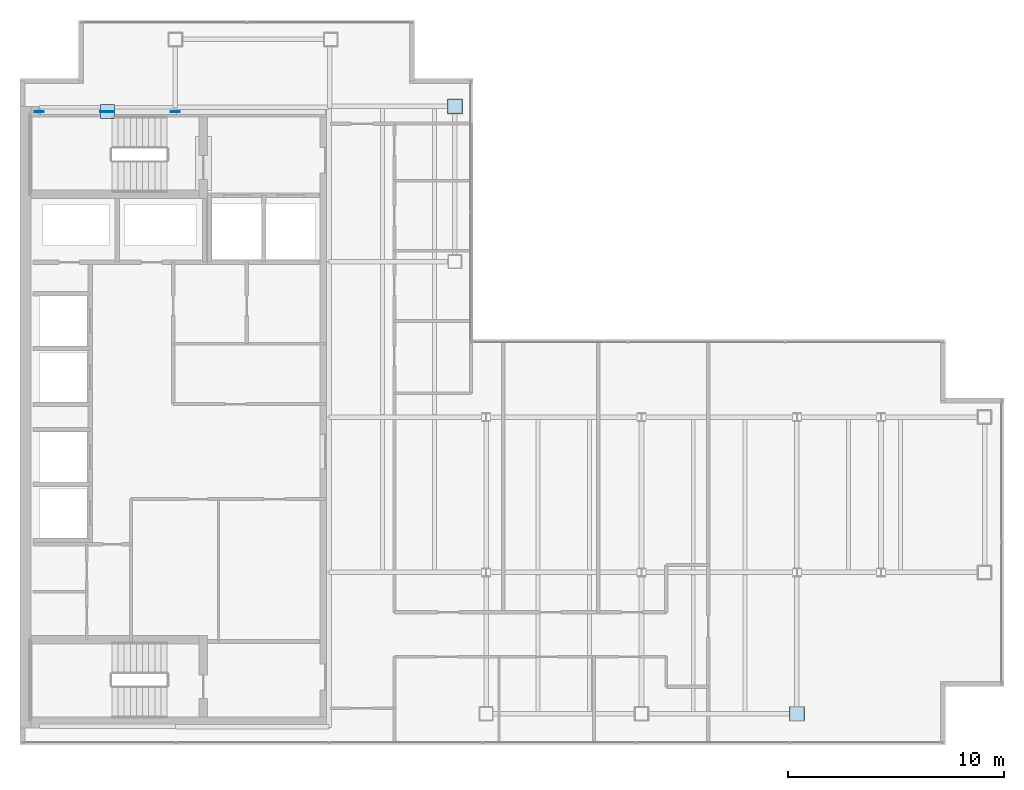
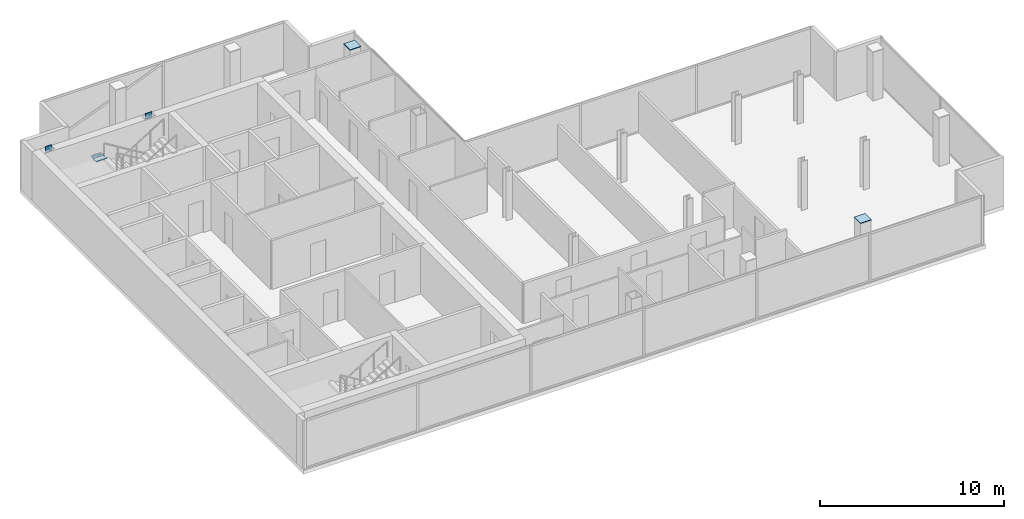
# One storey, part 20 of 24: 7 plates.
"""IFC4 building model written with IfcOpenShell, lengths in metres."""

from ifc_helpers import new_model, si_unit, direction, frame, origin, origin_2d, place, context, subcontext, project, spatial, rectangle, extrude, material, layer, layer_set, type_object, element, save


model = new_model("IFC4")

# Units and contexts
model_context = context("Model", 3, precision=1e-05, world=origin(), true_north=direction((0.0, 1.0)))
body_context = subcontext(model_context, "Body", "Model", "MODEL_VIEW")
ifc_project = project(units=[si_unit("LENGTHUNIT", "METRE"), si_unit("AREAUNIT", "SQUARE_METRE"), si_unit("VOLUMEUNIT", "CUBIC_METRE"), si_unit("PLANEANGLEUNIT", "RADIAN"), si_unit("MASSUNIT", "GRAM", prefix="KILO")], contexts=[model_context])

# Site, building, storey
site_placement = place(None, origin())
site = spatial("IfcSite", under=ifc_project, at=site_placement, CompositionType="ELEMENT")
building_placement = place(site_placement, origin())
building = spatial("IfcBuilding", under=site, at=building_placement, Name="Cobrela Telecom Tower", CompositionType="ELEMENT")
storey_placement = place(building_placement, frame((0.0, 0.0, 290.14990234375)))
storey = spatial("IfcBuildingStorey", under=building, at=storey_placement, Name="L76", CompositionType="ELEMENT", Elevation=290.14990234375)

# Plates
ifc_material = material(Name="Steel ASTM A572 Grade 50", Category="steel")
ifc_layer_1 = layer(ifc_material, 0.044921875)
ifc_layer_set_1 = layer_set([ifc_layer_1], Name="Steel ASTM A572 Grade 50")
plate_type_1 = type_object("IfcPlateType", Name="PLT-END-CAP-45", PredefinedType="SHEET", material=ifc_layer_set_1)
for number, where, z_axis, x_axis, name in (
    (1, (20.14990234375, 36.0, 3.237548828125), (0.0, 0.0, 1.0), (1.0, 0.0, 0.0), "L76 Mega-Column Top End Cap Plate 48"),
    (2, (36.0, 7.85009765625, 3.237548828125), (0.0, 0.0, 1.0), (1.0, 0.0, 0.0), "L76 Mega-Column Top End Cap Plate 50"),
):
    element("IfcPlate", number, at=place(storey_placement, frame(where, z_axis=z_axis, x_axis=x_axis)), inside=storey, type_object=plate_type_1, Name=name, PredefinedType="SHEET", context=body_context, shape_type="SweptSolid", body=[
        extrude(rectangle(XDim=0.68994140625, YDim=0.68994140625, at=origin_2d()), origin(), (0.0, 0.0, 1.0), 0.044921875),
    ])
ifc_layer_2 = layer(ifc_material, 0.0419921875)
ifc_layer_set_2 = layer_set([ifc_layer_2], Name="Steel ASTM A572 Grade 50")
plate_type_2 = type_object("IfcPlateType", Name="PLT-NODE-ND1", PredefinedType="USERDEFINED", material=ifc_layer_set_2)
for number, where, z_axis, x_axis, name in (
    (3, (7.199951171875, 35.75, 3.0751953125), (0.0, 0.0, 1.0), (1.0, 0.0, 0.0), "Steel node plate PLT-MBR-EXO-L76-N1-A-1"),
    (4, (4.173828125, 35.75, 1.349609375), (0.0, 0.0, 1.0), (-1.0, 0.0, 0.0), "Steel node plate PLT-MBR-EXO-L76-N1-B1-1"),
    (5, (3.926025390625, 35.75, 1.48046875), (0.0, 0.0, 1.0), (-1.0, 0.0, 0.0), "Steel node plate PLT-MBR-EXO-L76-N1-B2-0"),
    (6, (0.89990234375, 35.75, 3.0751953125), (0.0, 0.0, 1.0), (-1.0, 0.0, 0.0), "Steel node plate PLT-MBR-EXO-L76-N1-B2-1"),
):
    element("IfcPlate", number, at=place(storey_placement, frame(where, z_axis=z_axis, x_axis=x_axis)), inside=storey, type_object=plate_type_2, Name=name, ObjectType="GUSSET PLATE", PredefinedType="USERDEFINED", context=body_context, shape_type="SweptSolid", body=[
        extrude(rectangle(XDim=0.409912109375, YDim=0.044921875, at=origin_2d()), origin(), (0.0, 0.0, 1.0), 0.409912109375),
    ])
plate_placement = place(storey_placement, frame((4.050048828125, 35.75, 1.59765625), z_axis=(0.0, 0.0, 1.0), x_axis=(1.0, 0.0, 0.0)))
element("IfcPlate", 7, at=plate_placement, inside=storey, type_object=plate_type_2, Name="L76 Core Flange Steel X-Brace Central X-Crossing Gusset Plate", ObjectType="GUSSET PLATE", PredefinedType="USERDEFINED", context=body_context, shape_type="SweptSolid", body=[
    extrude(rectangle(XDim=0.64990234375, YDim=0.64990234375, at=origin_2d()), origin(), (0.0, 0.0, 1.0), 0.044921875),
])

save(model, "model.ifc")
